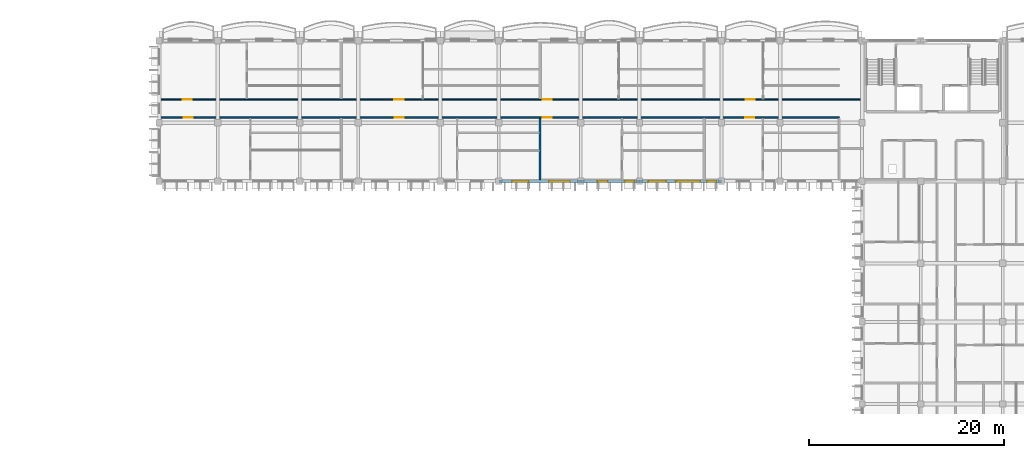
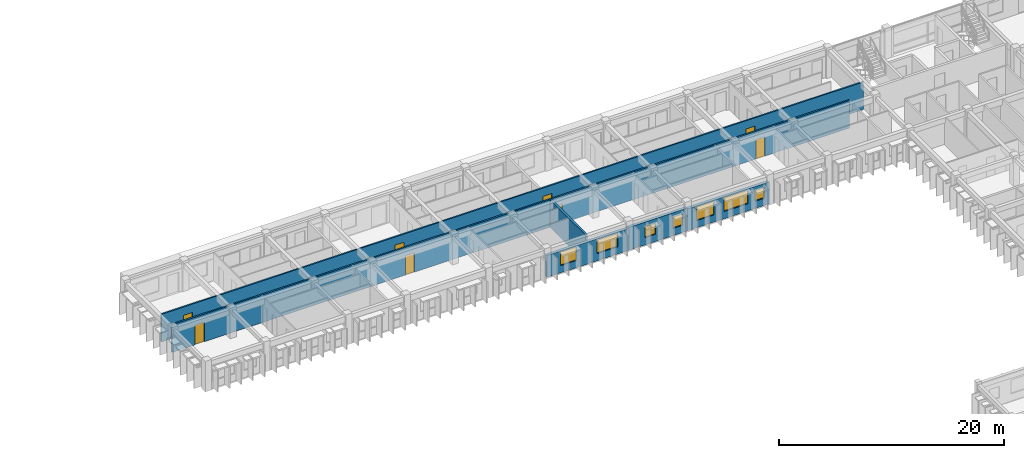
# One storey, part 26 of 66: 8 doors, 7 windows, 6 walls, 15 openings.
"""IFC4 building model written with IfcOpenShell, lengths in metres."""

from ifc_helpers import new_model, si_unit, direction, frame, frame_2d, origin, place, context, subcontext, project, spatial, rectangle, extrude, material, layer, layer_set, type_object, element, fill, save


model = new_model("IFC4")

# Units and contexts
model_context = context("Model", 3, precision=1e-05, world=origin(), true_north=direction((0.0, 1.0)))
body_context = subcontext(model_context, "Body", "Model", "MODEL_VIEW")
ifc_project = project(units=[si_unit("LENGTHUNIT", "METRE"), si_unit("AREAUNIT", "SQUARE_METRE"), si_unit("VOLUMEUNIT", "CUBIC_METRE"), si_unit("PLANEANGLEUNIT", "RADIAN"), si_unit("MASSUNIT", "GRAM", prefix="KILO"), si_unit("THERMODYNAMICTEMPERATUREUNIT", "KELVIN")], contexts=[model_context])

# Site, building, storey
site_placement = place(None, origin())
site = spatial("IfcSite", under=ifc_project, at=site_placement, CompositionType="ELEMENT")
building_placement = place(site_placement, origin())
building = spatial("IfcBuilding", under=site, at=building_placement, Name="Thalorik Housing Commons", CompositionType="ELEMENT")
storey_placement = place(building_placement, frame((0.0, 0.0, 21.300048828125)))
storey = spatial("IfcBuildingStorey", under=building, at=storey_placement, Name="L06", CompositionType="ELEMENT", Elevation=21.300048828125)

# Wall, openings, doors
ifc_material_1 = material(Name="Masonry fire-rated corridor wall", Category="masonry")
ifc_layer_1 = layer(ifc_material_1, 0.14990234375, Name="Masonry fire-rated corridor wall", Category="masonry")
ifc_layer_set_1 = layer_set([ifc_layer_1], Name="Masonry fire-rated corridor wall")
wall_type_1 = type_object("IfcWallType", Name="ARC-WAL-CORR-150", PredefinedType="PARTITIONING", material=ifc_layer_set_1)
wall_1_placement = place(storey_placement, frame((80.554443359375, 117.580078125, 0.0), z_axis=(0.0, 0.0, 1.0), x_axis=(1.0, 0.0, 0.0)))
wall_1 = element("IfcWall", 1, at=wall_1_placement, inside=storey, type_object=wall_type_1, Name="L06 Block B N Corridor Wall 2", PredefinedType="PARTITIONING", context=body_context, shape_type="SweptSolid", body=[
    extrude(rectangle(XDim=71.985595703125, YDim=0.14990234375, at=frame_2d((35.99267578125, 0.0))), origin(), (0.0, 0.0, 1.0), 3.0),
])
opening_1_placement = place(wall_1_placement, frame((2.25439453125, 0.0, 0.0)))
opening_1 = element("IfcOpeningElement", 2, at=opening_1_placement, cuts=wall_1, Name="Opening ID-1249", PredefinedType="OPENING", context=body_context, shape_type="SweptSolid", body=[
    extrude(rectangle(XDim=0.919921875, YDim=2.10009765625, at=frame_2d((0.4599609375, 1.050048828125))), frame((0.0, 0.0849609375, 0.0), z_axis=(0.0, -1.0, 0.0), x_axis=(1.0, 0.0, 0.0)), (0.0, 0.0, 1.0), 0.169921875),
])
opening_2_placement = place(wall_1_placement, frame((23.937255859375, 0.0, 0.0)))
opening_2 = element("IfcOpeningElement", 3, at=opening_2_placement, cuts=wall_1, Name="Opening ID-1250", PredefinedType="OPENING", context=body_context, shape_type="SweptSolid", body=[
    extrude(rectangle(XDim=0.9599609375, YDim=2.1201171875, at=frame_2d((0.47998046875, 1.06005859375))), frame((0.0, 0.0849609375, 0.0), z_axis=(0.0, -1.0, 0.0), x_axis=(1.0, 0.0, 0.0)), (0.0, 0.0, 1.0), 0.169921875),
])
opening_3_placement = place(wall_1_placement, frame((39.12548828125, 0.0, 0.0)))
opening_3 = element("IfcOpeningElement", 4, at=opening_3_placement, cuts=wall_1, Name="Opening ID-1251", PredefinedType="OPENING", context=body_context, shape_type="SweptSolid", body=[
    extrude(rectangle(XDim=0.919921875, YDim=2.10009765625, at=frame_2d((0.4599609375, 1.050048828125))), frame((0.0, 0.0849609375, 0.0), z_axis=(0.0, -1.0, 0.0), x_axis=(1.0, 0.0, 0.0)), (0.0, 0.0, 1.0), 0.169921875),
])
opening_4_placement = place(wall_1_placement, frame((59.921630859375, 0.0, 0.0)))
opening_4 = element("IfcOpeningElement", 5, at=opening_4_placement, cuts=wall_1, Name="Opening ID-1252", PredefinedType="OPENING", context=body_context, shape_type="SweptSolid", body=[
    extrude(rectangle(XDim=0.919921875, YDim=2.10009765625, at=frame_2d((0.4599609375, 1.050048828125))), frame((0.0, 0.0849609375, 0.0), z_axis=(0.0, -1.0, 0.0), x_axis=(1.0, 0.0, 0.0)), (0.0, 0.0, 1.0), 0.169921875),
])
ifc_material_2 = material(Name="Solid core hardwood timber", Category="wood")
door_type_1 = type_object("IfcDoorType", Name="ARC-DR-FD30-920", OperationType="NOTDEFINED", PredefinedType="DOOR", material=ifc_material_2)
door_1_placement = place(opening_1_placement, origin())
door_1 = element("IfcDoor", 6, at=door_1_placement, inside=storey, type_object=door_type_1, Name="L06 Flat BN-1B Entrance Door", OperationType="SINGLE_SWING_RIGHT", OverallHeight=2.10009765625, OverallWidth=0.919921875, PredefinedType="DOOR", context=body_context, shape_type="SweptSolid", body=[
    extrude(rectangle(XDim=0.919921875, YDim=2.10009765625, at=frame_2d((0.4599609375, 1.050048828125))), frame((0.0, 0.02490234375, 0.0), z_axis=(0.0, -1.0, 0.0), x_axis=(1.0, 0.0, 0.0)), (0.0, 0.0, 1.0), 0.050048828125),
])
fill(opening_1, door_1)
door_2_placement = place(opening_3_placement, origin())
door_2 = element("IfcDoor", 7, at=door_2_placement, inside=storey, type_object=door_type_1, Name="L06 Flat BN-3B Entrance Door", OperationType="SINGLE_SWING_RIGHT", OverallHeight=2.10009765625, OverallWidth=0.919921875, PredefinedType="DOOR", context=body_context, shape_type="SweptSolid", body=[
    extrude(rectangle(XDim=0.919921875, YDim=2.10009765625, at=frame_2d((0.4599609375, 1.050048828125))), frame((0.0, 0.02490234375, 0.0), z_axis=(0.0, -1.0, 0.0), x_axis=(1.0, 0.0, 0.0)), (0.0, 0.0, 1.0), 0.050048828125),
])
fill(opening_3, door_2)
door_3_placement = place(opening_4_placement, origin())
door_3 = element("IfcDoor", 8, at=door_3_placement, inside=storey, type_object=door_type_1, Name="L06 Flat BN-4B Entrance Door", OperationType="SINGLE_SWING_LEFT", OverallHeight=2.10009765625, OverallWidth=0.919921875, PredefinedType="DOOR", context=body_context, shape_type="SweptSolid", body=[
    extrude(rectangle(XDim=0.919921875, YDim=2.10009765625, at=frame_2d((0.4599609375, 1.050048828125))), frame((0.0, 0.02490234375, 0.0), z_axis=(0.0, -1.0, 0.0), x_axis=(1.0, 0.0, 0.0)), (0.0, 0.0, 1.0), 0.050048828125),
])
fill(opening_4, door_3)
door_type_2 = type_object("IfcDoorType", Name="ARC-DR-FD30-960", OperationType="NOTDEFINED", PredefinedType="DOOR", material=ifc_material_2)
door_4_placement = place(opening_2_placement, origin())
door_4 = element("IfcDoor", 9, at=door_4_placement, inside=storey, type_object=door_type_2, Name="L06 Flat BN-2B Entrance Door", OperationType="SINGLE_SWING_LEFT", OverallHeight=2.1201171875, OverallWidth=0.9599609375, PredefinedType="DOOR", context=body_context, shape_type="SweptSolid", body=[
    extrude(rectangle(XDim=0.9599609375, YDim=2.1201171875, at=frame_2d((0.47998046875, 1.06005859375))), frame((0.0, 0.02490234375, 0.0), z_axis=(0.0, -1.0, 0.0), x_axis=(1.0, 0.0, 0.0)), (0.0, 0.0, 1.0), 0.050048828125),
])
fill(opening_2, door_4)

ifc_layer_2 = layer(ifc_material_1, 0.1650390625, Name="Masonry fire-rated corridor wall", Category="masonry")
ifc_layer_set_2 = layer_set([ifc_layer_2], Name="Masonry fire-rated corridor wall")
wall_type_2 = type_object("IfcWallType", Name="ARC-WAL-CORR-165", PredefinedType="PARTITIONING", material=ifc_layer_set_2)
wall_2_placement = place(storey_placement, frame((80.554443359375, 115.719970703125, 0.0), z_axis=(0.0, 0.0, 1.0), x_axis=(1.0, 0.0, 0.0)))
wall_2 = element("IfcWall", 10, at=wall_2_placement, inside=storey, type_object=wall_type_2, Name="L06 Block B N Corridor Wall 1", PredefinedType="PARTITIONING", context=body_context, shape_type="SweptSolid", body=[
    extrude(rectangle(XDim=69.49560546875, YDim=0.1650390625, at=frame_2d((34.747802734375, 0.0))), origin(), (0.0, 0.0, 1.0), 3.0),
])
opening_5_placement = place(wall_2_placement, frame((2.359130859375, 0.0, 0.0)))
opening_5 = element("IfcOpeningElement", 11, at=opening_5_placement, cuts=wall_2, Name="Opening ID-1245", PredefinedType="OPENING", context=body_context, shape_type="SweptSolid", body=[
    extrude(rectangle(XDim=0.9599609375, YDim=2.1201171875, at=frame_2d((0.47998046875, 1.06005859375))), frame((0.0, 0.092529296875, 0.0), z_axis=(0.0, -1.0, 0.0), x_axis=(1.0, 0.0, 0.0)), (0.0, 0.0, 1.0), 0.18505859375),
])
opening_6_placement = place(wall_2_placement, frame((23.96044921875, 0.0, 0.0)))
opening_6 = element("IfcOpeningElement", 12, at=opening_6_placement, cuts=wall_2, Name="Opening ID-1246", PredefinedType="OPENING", context=body_context, shape_type="SweptSolid", body=[
    extrude(rectangle(XDim=0.919921875, YDim=2.10009765625, at=frame_2d((0.4599609375, 1.050048828125))), frame((0.0, 0.092529296875, 0.0), z_axis=(0.0, -1.0, 0.0), x_axis=(1.0, 0.0, 0.0)), (0.0, 0.0, 1.0), 0.18505859375),
])
opening_7_placement = place(wall_2_placement, frame((39.12548828125, 0.0, 0.0)))
opening_7 = element("IfcOpeningElement", 13, at=opening_7_placement, cuts=wall_2, Name="Opening ID-1247", PredefinedType="OPENING", context=body_context, shape_type="SweptSolid", body=[
    extrude(rectangle(XDim=0.919921875, YDim=2.10009765625, at=frame_2d((0.4599609375, 1.050048828125))), frame((0.0, 0.092529296875, 0.0), z_axis=(0.0, -1.0, 0.0), x_axis=(1.0, 0.0, 0.0)), (0.0, 0.0, 1.0), 0.18505859375),
])
opening_8_placement = place(wall_2_placement, frame((59.901123046875, 0.0, 0.0)))
opening_8 = element("IfcOpeningElement", 14, at=opening_8_placement, cuts=wall_2, Name="Opening ID-1248", PredefinedType="OPENING", context=body_context, shape_type="SweptSolid", body=[
    extrude(rectangle(XDim=0.919921875, YDim=2.10009765625, at=frame_2d((0.4599609375, 1.050048828125))), frame((0.0, 0.092529296875, 0.0), z_axis=(0.0, -1.0, 0.0), x_axis=(1.0, 0.0, 0.0)), (0.0, 0.0, 1.0), 0.18505859375),
])
door_5_placement = place(opening_6_placement, origin())
door_5 = element("IfcDoor", 15, at=door_5_placement, inside=storey, type_object=door_type_1, Name="L06 Flat BN-2A Entrance Door", OperationType="SINGLE_SWING_LEFT", OverallHeight=2.10009765625, OverallWidth=0.919921875, PredefinedType="DOOR", context=body_context, shape_type="SweptSolid", body=[
    extrude(rectangle(XDim=0.919921875, YDim=2.10009765625, at=frame_2d((0.4599609375, 1.050048828125))), frame((0.0, 0.02490234375, 0.0), z_axis=(0.0, -1.0, 0.0), x_axis=(1.0, 0.0, 0.0)), (0.0, 0.0, 1.0), 0.050048828125),
])
fill(opening_6, door_5)
door_6_placement = place(opening_7_placement, origin())
door_6 = element("IfcDoor", 16, at=door_6_placement, inside=storey, type_object=door_type_1, Name="L06 Flat BN-3A Entrance Door", OperationType="SINGLE_SWING_RIGHT", OverallHeight=2.10009765625, OverallWidth=0.919921875, PredefinedType="DOOR", context=body_context, shape_type="SweptSolid", body=[
    extrude(rectangle(XDim=0.919921875, YDim=2.10009765625, at=frame_2d((0.4599609375, 1.050048828125))), frame((0.0, 0.02490234375, 0.0), z_axis=(0.0, -1.0, 0.0), x_axis=(1.0, 0.0, 0.0)), (0.0, 0.0, 1.0), 0.050048828125),
])
fill(opening_7, door_6)
door_7_placement = place(opening_8_placement, origin())
door_7 = element("IfcDoor", 17, at=door_7_placement, inside=storey, type_object=door_type_1, Name="L06 Flat BN-4A Entrance Door", OperationType="SINGLE_SWING_LEFT", OverallHeight=2.10009765625, OverallWidth=0.919921875, PredefinedType="DOOR", context=body_context, shape_type="SweptSolid", body=[
    extrude(rectangle(XDim=0.919921875, YDim=2.10009765625, at=frame_2d((0.4599609375, 1.050048828125))), frame((0.0, 0.02490234375, 0.0), z_axis=(0.0, -1.0, 0.0), x_axis=(1.0, 0.0, 0.0)), (0.0, 0.0, 1.0), 0.050048828125),
])
fill(opening_8, door_7)
door_8_placement = place(opening_5_placement, origin())
door_8 = element("IfcDoor", 18, at=door_8_placement, inside=storey, type_object=door_type_2, Name="L06 Flat BN-1A Entrance Door", OperationType="SINGLE_SWING_RIGHT", OverallHeight=2.1201171875, OverallWidth=0.9599609375, PredefinedType="DOOR", context=body_context, shape_type="SweptSolid", body=[
    extrude(rectangle(XDim=0.9599609375, YDim=2.1201171875, at=frame_2d((0.47998046875, 1.06005859375))), frame((0.0, 0.02490234375, 0.0), z_axis=(0.0, -1.0, 0.0), x_axis=(1.0, 0.0, 0.0)), (0.0, 0.0, 1.0), 0.050048828125),
])
fill(opening_5, door_8)

# Wall, openings, windows
ifc_material_3 = material(Name="White precast concrete C40/50", Category="concrete")
ifc_layer_3 = layer(ifc_material_3, 0.304931640625, Name="White precast concrete C40/50", Category="concrete")
ifc_layer_set_3 = layer_set([ifc_layer_3], Name="White precast concrete C40/50")
wall_type_3 = type_object("IfcWallType", Name="ARC-WAL-EXT-305", PredefinedType="STANDARD", material=ifc_layer_set_3)
wall_3_placement = place(storey_placement, frame((115.199951171875, 109.199951171875, 0.0), z_axis=(0.0, 0.0, 1.0), x_axis=(1.0, 0.0, 0.0)))
wall_3 = element("IfcWall", 19, at=wall_3_placement, inside=storey, type_object=wall_type_3, Name="L06 Exterior Wall WAL-EXT-L06-B-0619", PredefinedType="STANDARD", context=body_context, shape_type="SweptSolid", body=[
    extrude(rectangle(XDim=8.400146484375, YDim=0.304931640625, at=frame_2d((4.2001953125, 0.0))), origin(), (0.0, 0.0, 1.0), 2.375),
])
opening_9_placement = place(wall_3_placement, frame((1.3701171875, 0.0, 0.780029296875)))
opening_9 = element("IfcOpeningElement", 20, at=opening_9_placement, cuts=wall_3, Name="Opening W-55", PredefinedType="OPENING", context=body_context, shape_type="SweptSolid", body=[
    extrude(rectangle(XDim=1.679931640625, YDim=1.4599609375, at=frame_2d((0.83984375, 0.72998046875))), frame((0.0, 0.16259765625, 0.0), z_axis=(0.0, -1.0, 0.0), x_axis=(1.0, 0.0, 0.0)), (0.0, 0.0, 1.0), 0.324951171875),
])
opening_10_placement = place(wall_3_placement, frame((5.159912109375, 0.0, 0.780029296875)))
opening_10 = element("IfcOpeningElement", 21, at=opening_10_placement, cuts=wall_3, Name="Opening W-64", PredefinedType="OPENING", context=body_context, shape_type="SweptSolid", body=[
    extrude(rectangle(XDim=2.1201171875, YDim=1.43994140625, at=frame_2d((1.06005859375, 0.719970703125))), frame((0.0, 0.16259765625, 0.0), z_axis=(0.0, -1.0, 0.0), x_axis=(1.0, 0.0, 0.0)), (0.0, 0.0, 1.0), 0.324951171875),
])
ifc_material_4 = material(Name="Anodised aluminium and solar-control low-E glass", Category="aluminium")
window_type_1 = type_object("IfcWindowType", Name="ARC-WIN-55", PartitioningType="DOUBLE_PANEL_VERTICAL", PredefinedType="WINDOW", material=ifc_material_4)
window_1_placement = place(opening_9_placement, origin())
window_1 = element("IfcWindow", 22, at=window_1_placement, inside=storey, type_object=window_type_1, Name="L06 Facade Window 1124", OverallHeight=1.4599609375, OverallWidth=1.679931640625, PartitioningType="DOUBLE_PANEL_VERTICAL", PredefinedType="WINDOW", context=body_context, shape_type="SweptSolid", body=[
    extrude(rectangle(XDim=1.679931640625, YDim=1.4599609375, at=frame_2d((0.83984375, 0.72998046875))), frame((0.0, 0.030029296875, 0.0), z_axis=(0.0, -1.0, 0.0), x_axis=(1.0, 0.0, 0.0)), (0.0, 0.0, 1.0), 0.06005859375),
])
fill(opening_9, window_1)
window_type_2 = type_object("IfcWindowType", Name="ARC-WIN-64", PartitioningType="DOUBLE_PANEL_VERTICAL", PredefinedType="WINDOW", material=ifc_material_4)
window_2_placement = place(opening_10_placement, origin())
window_2 = element("IfcWindow", 23, at=window_2_placement, inside=storey, type_object=window_type_2, Name="L06 Facade Window 1125", OverallHeight=1.43994140625, OverallWidth=2.1201171875, PartitioningType="DOUBLE_PANEL_VERTICAL", PredefinedType="WINDOW", context=body_context, shape_type="SweptSolid", body=[
    extrude(rectangle(XDim=2.1201171875, YDim=1.43994140625, at=frame_2d((1.06005859375, 0.719970703125))), frame((0.0, 0.030029296875, 0.0), z_axis=(0.0, -1.0, 0.0), x_axis=(1.0, 0.0, 0.0)), (0.0, 0.0, 1.0), 0.06005859375),
])
fill(opening_10, window_2)

wall_4_placement = place(storey_placement, frame((123.60009765625, 109.199951171875, 0.0), z_axis=(0.0, 0.0, 1.0), x_axis=(1.0, 0.0, 0.0)))
wall_4 = element("IfcWall", 24, at=wall_4_placement, inside=storey, type_object=wall_type_3, Name="L06 Exterior Wall WAL-EXT-L06-B-0620", PredefinedType="STANDARD", context=body_context, shape_type="SweptSolid", body=[
    extrude(rectangle(XDim=6.0, YDim=0.304931640625, at=frame_2d((3.0, 0.0))), origin(), (0.0, 0.0, 1.0), 2.474853515625),
])
opening_11_placement = place(wall_4_placement, frame((1.6826171875, 0.0, 0.780029296875)))
opening_11 = element("IfcOpeningElement", 25, at=opening_11_placement, cuts=wall_4, Name="Opening W-44", PredefinedType="OPENING", context=body_context, shape_type="SweptSolid", body=[
    extrude(rectangle(XDim=1.050048828125, YDim=1.199951171875, at=frame_2d((0.52490234375, 0.60009765625))), frame((0.0, 0.16259765625, 0.0), z_axis=(0.0, -1.0, 0.0), x_axis=(1.0, 0.0, 0.0)), (0.0, 0.0, 1.0), 0.324951171875),
])
opening_12_placement = place(wall_4_placement, frame((4.517578125, 0.0, 0.780029296875)))
opening_12 = element("IfcOpeningElement", 26, at=opening_12_placement, cuts=wall_4, Name="Opening W-02", PredefinedType="OPENING", context=body_context, shape_type="SweptSolid", body=[
    extrude(rectangle(XDim=1.0, YDim=1.25, at=frame_2d((0.5, 0.625))), frame((0.0, 0.16259765625, 0.0), z_axis=(0.0, -1.0, 0.0), x_axis=(1.0, 0.0, 0.0)), (0.0, 0.0, 1.0), 0.324951171875),
])
window_type_3 = type_object("IfcWindowType", Name="ARC-WIN-02", PartitioningType="SINGLE_PANEL", PredefinedType="WINDOW", material=ifc_material_4)
window_3_placement = place(opening_12_placement, origin())
window_3 = element("IfcWindow", 27, at=window_3_placement, inside=storey, type_object=window_type_3, Name="L06 Facade Window 1127", OverallHeight=1.25, OverallWidth=1.0, PartitioningType="SINGLE_PANEL", PredefinedType="WINDOW", context=body_context, shape_type="SweptSolid", body=[
    extrude(rectangle(XDim=1.0, YDim=1.25, at=frame_2d((0.5, 0.625))), frame((0.0, 0.030029296875, 0.0), z_axis=(0.0, -1.0, 0.0), x_axis=(1.0, 0.0, 0.0)), (0.0, 0.0, 1.0), 0.06005859375),
])
fill(opening_12, window_3)
window_type_4 = type_object("IfcWindowType", Name="ARC-WIN-44", PartitioningType="SINGLE_PANEL", PredefinedType="WINDOW", material=ifc_material_4)
window_4_placement = place(opening_11_placement, origin())
window_4 = element("IfcWindow", 28, at=window_4_placement, inside=storey, type_object=window_type_4, Name="L06 Facade Window 1126", OverallHeight=1.199951171875, OverallWidth=1.050048828125, PartitioningType="SINGLE_PANEL", PredefinedType="WINDOW", context=body_context, shape_type="SweptSolid", body=[
    extrude(rectangle(XDim=1.050048828125, YDim=1.199951171875, at=frame_2d((0.52490234375, 0.60009765625))), frame((0.0, 0.030029296875, 0.0), z_axis=(0.0, -1.0, 0.0), x_axis=(1.0, 0.0, 0.0)), (0.0, 0.0, 1.0), 0.06005859375),
])
fill(opening_11, window_4)

wall_5_placement = place(storey_placement, frame((129.60009765625, 109.199951171875, 0.0), z_axis=(0.0, 0.0, 1.0), x_axis=(1.0, 0.0, 0.0)))
wall_5 = element("IfcWall", 29, at=wall_5_placement, inside=storey, type_object=wall_type_3, Name="L06 Exterior Wall WAL-EXT-L06-B-0621", PredefinedType="STANDARD", context=body_context, shape_type="SweptSolid", body=[
    extrude(rectangle(XDim=8.39990234375, YDim=0.304931640625, at=frame_2d((4.199951171875, 0.0))), origin(), (0.0, 0.0, 1.0), 2.375),
])
opening_13_placement = place(wall_5_placement, frame((0.922607421875, 0.0, 0.780029296875)))
opening_13 = element("IfcOpeningElement", 30, at=opening_13_placement, cuts=wall_5, Name="Opening W-58", PredefinedType="OPENING", context=body_context, shape_type="SweptSolid", body=[
    extrude(rectangle(XDim=1.820068359375, YDim=1.4599609375, at=frame_2d((0.91015625, 0.72998046875))), frame((0.0, 0.16259765625, 0.0), z_axis=(0.0, -1.0, 0.0), x_axis=(1.0, 0.0, 0.0)), (0.0, 0.0, 1.0), 0.324951171875),
])
opening_14_placement = place(wall_5_placement, frame((3.737548828125, 0.0, 0.780029296875)))
opening_14 = element("IfcOpeningElement", 31, at=opening_14_placement, cuts=wall_5, Name="Opening W-71", PredefinedType="OPENING", context=body_context, shape_type="SweptSolid", body=[
    extrude(rectangle(XDim=2.47998046875, YDim=1.4599609375, at=frame_2d((1.239990234375, 0.72998046875))), frame((0.0, 0.16259765625, 0.0), z_axis=(0.0, -1.0, 0.0), x_axis=(1.0, 0.0, 0.0)), (0.0, 0.0, 1.0), 0.324951171875),
])
opening_15_placement = place(wall_5_placement, frame((6.93994140625, 0.0, 0.780029296875)))
opening_15 = element("IfcOpeningElement", 32, at=opening_15_placement, cuts=wall_5, Name="Opening W-43", PredefinedType="OPENING", context=body_context, shape_type="SweptSolid", body=[
    extrude(rectangle(XDim=0.949951171875, YDim=1.14990234375, at=frame_2d((0.47509765625, 0.574951171875))), frame((0.0, 0.16259765625, 0.0), z_axis=(0.0, -1.0, 0.0), x_axis=(1.0, 0.0, 0.0)), (0.0, 0.0, 1.0), 0.324951171875),
])
window_type_5 = type_object("IfcWindowType", Name="ARC-WIN-43", PartitioningType="SINGLE_PANEL", PredefinedType="WINDOW", material=ifc_material_4)
window_5_placement = place(opening_15_placement, origin())
window_5 = element("IfcWindow", 33, at=window_5_placement, inside=storey, type_object=window_type_5, Name="L06 Facade Window 1130", OverallHeight=1.14990234375, OverallWidth=0.949951171875, PartitioningType="SINGLE_PANEL", PredefinedType="WINDOW", context=body_context, shape_type="SweptSolid", body=[
    extrude(rectangle(XDim=0.949951171875, YDim=1.14990234375, at=frame_2d((0.47509765625, 0.574951171875))), frame((0.0, 0.030029296875, 0.0), z_axis=(0.0, -1.0, 0.0), x_axis=(1.0, 0.0, 0.0)), (0.0, 0.0, 1.0), 0.06005859375),
])
fill(opening_15, window_5)
window_type_6 = type_object("IfcWindowType", Name="ARC-WIN-58", PartitioningType="DOUBLE_PANEL_VERTICAL", PredefinedType="WINDOW", material=ifc_material_4)
window_6_placement = place(opening_13_placement, origin())
window_6 = element("IfcWindow", 34, at=window_6_placement, inside=storey, type_object=window_type_6, Name="L06 Facade Window 1128", OverallHeight=1.4599609375, OverallWidth=1.820068359375, PartitioningType="DOUBLE_PANEL_VERTICAL", PredefinedType="WINDOW", context=body_context, shape_type="SweptSolid", body=[
    extrude(rectangle(XDim=1.820068359375, YDim=1.4599609375, at=frame_2d((0.91015625, 0.72998046875))), frame((0.0, 0.030029296875, 0.0), z_axis=(0.0, -1.0, 0.0), x_axis=(1.0, 0.0, 0.0)), (0.0, 0.0, 1.0), 0.06005859375),
])
fill(opening_13, window_6)
window_type_7 = type_object("IfcWindowType", Name="ARC-WIN-71", PartitioningType="DOUBLE_PANEL_VERTICAL", PredefinedType="WINDOW", material=ifc_material_4)
window_7_placement = place(opening_14_placement, origin())
window_7 = element("IfcWindow", 35, at=window_7_placement, inside=storey, type_object=window_type_7, Name="L06 Facade Window 1129", OverallHeight=1.4599609375, OverallWidth=2.47998046875, PartitioningType="DOUBLE_PANEL_VERTICAL", PredefinedType="WINDOW", context=body_context, shape_type="SweptSolid", body=[
    extrude(rectangle(XDim=2.47998046875, YDim=1.4599609375, at=frame_2d((1.239990234375, 0.72998046875))), frame((0.0, 0.030029296875, 0.0), z_axis=(0.0, -1.0, 0.0), x_axis=(1.0, 0.0, 0.0)), (0.0, 0.0, 1.0), 0.06005859375),
])
fill(opening_14, window_7)

# Wall
ifc_material_5 = material(Name="Precast concrete C40/50 acoustic wall", Category="concrete")
ifc_layer_4 = layer(ifc_material_5, 0.219970703125, Name="Precast concrete C40/50 acoustic wall", Category="concrete")
ifc_layer_set_4 = layer_set([ifc_layer_4], Name="Precast concrete C40/50 acoustic wall")
wall_type_4 = type_object("IfcWallType", Name="ARC-WAL-PARTY-220", PredefinedType="PARTITIONING", material=ifc_layer_set_4)
wall_6_placement = place(storey_placement, frame((119.429931640625, 109.3544921875, 0.0), z_axis=(0.0, 0.0, 1.0), x_axis=(0.0, 1.0, 0.0)))
element("IfcWall", 36, at=wall_6_placement, inside=storey, type_object=wall_type_4, Name="L06 Inter-Tenancy Wall 2A", PredefinedType="PARTITIONING", context=body_context, shape_type="SweptSolid", body=[
    extrude(rectangle(XDim=6.281005859375, YDim=0.219970703125, at=frame_2d((3.140625, 0.0))), origin(), (0.0, 0.0, 1.0), 3.0),
])

save(model, "model.ifc")
